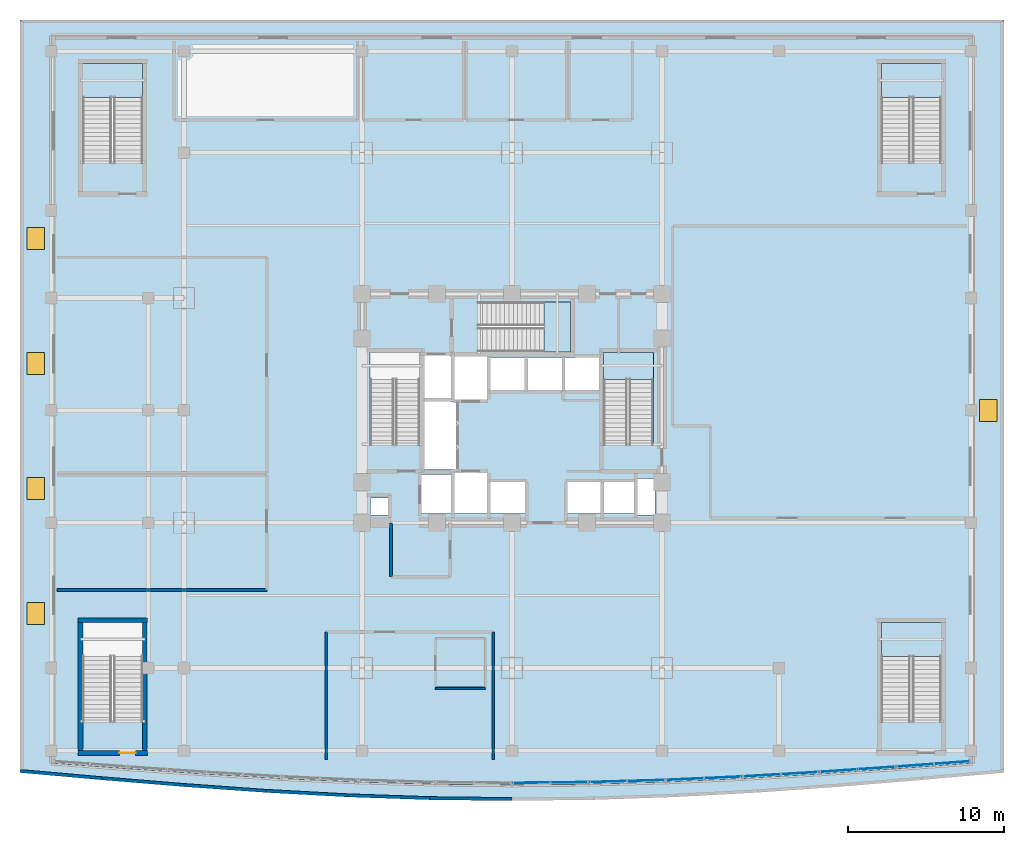
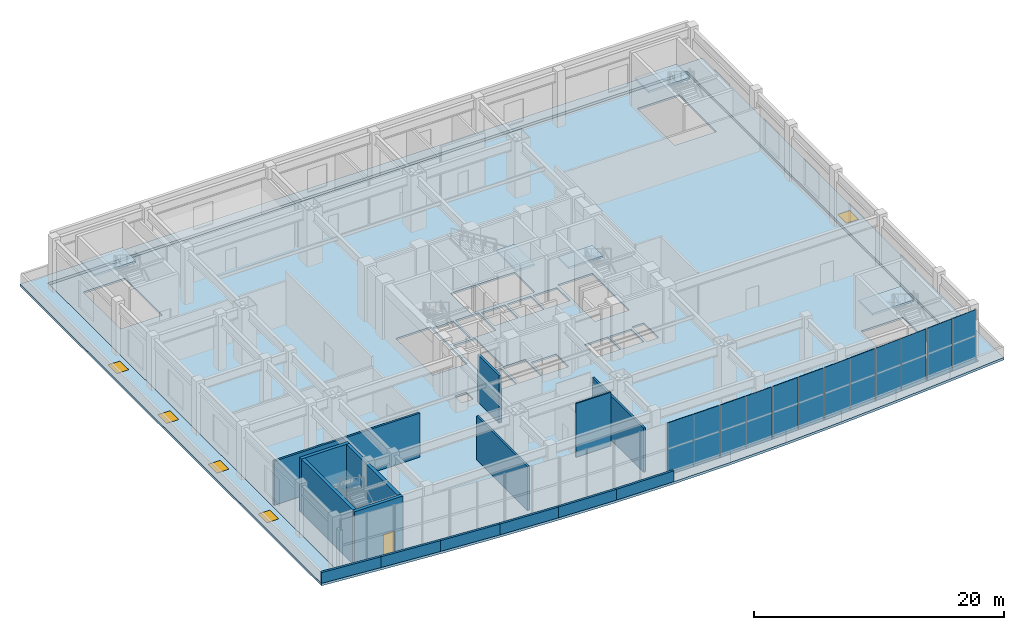
# One storey, part 11 of 24: 15 walls, 12 plates, 7 slabs, 6 doors, 6 openings, 11 elements without a shape of their own.
"""IFC4 building model written with IfcOpenShell, lengths in metres."""

from ifc_helpers import new_model, si_unit, direction, frame, frame_2d, origin, origin_2d, place, context, subcontext, project, spatial, polyline, rectangle, outline, extrude, material, layer, layer_set, type_object, element, fill, aggregate, save


model = new_model("IFC4")

# Units and contexts
model_context = context("Model", 3, precision=1e-05, world=origin(), true_north=direction((0.0, 1.0)))
body_context = subcontext(model_context, "Body", "Model", "MODEL_VIEW")
ifc_project = project(units=[si_unit("LENGTHUNIT", "METRE"), si_unit("AREAUNIT", "SQUARE_METRE"), si_unit("VOLUMEUNIT", "CUBIC_METRE"), si_unit("PLANEANGLEUNIT", "RADIAN"), si_unit("MASSUNIT", "GRAM", prefix="KILO")], contexts=[model_context])

# Site, building, storey
site_placement = place(None, origin())
site = spatial("IfcSite", under=ifc_project, at=site_placement, CompositionType="ELEMENT")
building_placement = place(site_placement, origin())
building = spatial("IfcBuilding", under=site, at=building_placement, Name="Vantalir Tower", CompositionType="ELEMENT")
storey_placement = place(building_placement, frame((0.0, 0.0, 16.0)))
storey = spatial("IfcBuildingStorey", under=building, at=storey_placement, Name="L03", CompositionType="ELEMENT", Elevation=16.0)

# Curtain wall, plates
ifc_material_1 = material(Name="Champagne-silver PVDF aluminium and double-silver Low-E glass", Category="aluminium")
ifc_layer_1 = layer(ifc_material_1, 0.239990234375)
ifc_layer_set_1 = layer_set([ifc_layer_1], Name="Champagne-silver PVDF aluminium and double-silver Low-E glass")
curtain_wall_type = type_object("IfcCurtainWallType", Name="CW-PODIUM-WF", PredefinedType="USERDEFINED", material=ifc_layer_set_1)
curtain_wall_1_placement = place(storey_placement, origin())
curtain_wall_1 = element("IfcCurtainWall", 1, at=curtain_wall_1_placement, inside=storey, type_object=curtain_wall_type, Name="L03 Waterfront Stick Curtain Wall 07", ObjectType="STICK CURTAIN WALL", PredefinedType="USERDEFINED")
ifc_material_2 = material(Name="Laminated waterfront podium glass IGU", Category="glass")
ifc_layer_2 = layer(ifc_material_2, 0.0400390625)
ifc_layer_set_2 = layer_set([ifc_layer_2], Name="Laminated waterfront podium glass IGU")
plate_type = type_object("IfcPlateType", Name="CWP-IGU-POD-40", PredefinedType="CURTAIN_PANEL", material=ifc_layer_set_2)
plate_1_placement = place(storey_placement, frame((32.75390625, 1.152099609375, -0.008056640625), z_axis=(0.0, 0.0, 1.0), x_axis=(0.9999524068, 0.009756235739, 0.0)))
plate_1 = element("IfcPlate", 2, at=plate_1_placement, type_object=plate_type, Name="CW-L03-WF-07 Glazed Panel 1", PredefinedType="CURTAIN_PANEL", context=body_context, shape_type="SweptSolid", body=[
    extrude(rectangle(XDim=2.388916015625, YDim=0.0400390625, at=origin_2d()), origin(), (0.0, 0.0, 1.0), 5.26611328125),
])
plate_2_placement = place(storey_placement, frame((35.1630859375, 1.176025390625, -0.008056640625), z_axis=(0.0, 0.0, 1.0), x_axis=(0.9999524068, 0.009756235739, 0.0)))
plate_2 = element("IfcPlate", 3, at=plate_2_placement, type_object=plate_type, Name="CW-L03-WF-07 Glazed Panel 2", PredefinedType="CURTAIN_PANEL", context=body_context, shape_type="SweptSolid", body=[
    extrude(rectangle(XDim=2.388916015625, YDim=0.0400390625, at=origin_2d()), origin(), (0.0, 0.0, 1.0), 5.26611328125),
])
aggregate(curtain_wall_1, [plate_1, plate_2])

curtain_wall_2_placement = place(storey_placement, origin())
curtain_wall_2 = element("IfcCurtainWall", 4, at=curtain_wall_2_placement, inside=storey, type_object=curtain_wall_type, Name="L03 Waterfront Stick Curtain Wall 08", ObjectType="STICK CURTAIN WALL", PredefinedType="USERDEFINED")
plate_3_placement = place(storey_placement, frame((37.6708984375, 1.22412109375, -0.008056640625), z_axis=(0.0, 0.0, 1.0), x_axis=(0.999594861669, 0.02846247573, 0.0)))
plate_3 = element("IfcPlate", 5, at=plate_3_placement, type_object=plate_type, Name="CW-L03-WF-08 Glazed Panel 1", PredefinedType="CURTAIN_PANEL", context=body_context, shape_type="SweptSolid", body=[
    extrude(rectangle(XDim=2.388916015625, YDim=0.0400390625, at=origin_2d()), origin(), (0.0, 0.0, 1.0), 5.26611328125),
])
plate_4_placement = place(storey_placement, frame((40.0791015625, 1.2919921875, -0.008056640625), z_axis=(0.0, 0.0, 1.0), x_axis=(0.999594861669, 0.02846247573, 0.0)))
plate_4 = element("IfcPlate", 6, at=plate_4_placement, type_object=plate_type, Name="CW-L03-WF-08 Glazed Panel 2", PredefinedType="CURTAIN_PANEL", context=body_context, shape_type="SweptSolid", body=[
    extrude(rectangle(XDim=2.388916015625, YDim=0.0400390625, at=origin_2d()), origin(), (0.0, 0.0, 1.0), 5.26611328125),
])
aggregate(curtain_wall_2, [plate_3, plate_4])

curtain_wall_3_placement = place(storey_placement, origin())
curtain_wall_3 = element("IfcCurtainWall", 7, at=curtain_wall_3_placement, inside=storey, type_object=curtain_wall_type, Name="L03 Waterfront Stick Curtain Wall 09", ObjectType="STICK CURTAIN WALL", PredefinedType="USERDEFINED")
plate_5_placement = place(storey_placement, frame((42.5869140625, 1.385009765625, -0.008056640625), z_axis=(0.0, 0.0, 1.0), x_axis=(0.998982411559, 0.045101456694, 0.0)))
plate_5 = element("IfcPlate", 8, at=plate_5_placement, type_object=plate_type, Name="CW-L03-WF-09 Glazed Panel 1", PredefinedType="CURTAIN_PANEL", context=body_context, shape_type="SweptSolid", body=[
    extrude(rectangle(XDim=2.39111328125, YDim=0.0400390625, at=origin_2d()), origin(), (0.0, 0.0, 1.0), 5.26611328125),
])
plate_6_placement = place(storey_placement, frame((44.99609375, 1.492919921875, -0.008056640625), z_axis=(0.0, 0.0, 1.0), x_axis=(0.998982411559, 0.045101456694, 0.0)))
plate_6 = element("IfcPlate", 9, at=plate_6_placement, type_object=plate_type, Name="CW-L03-WF-09 Glazed Panel 2", PredefinedType="CURTAIN_PANEL", context=body_context, shape_type="SweptSolid", body=[
    extrude(rectangle(XDim=2.39111328125, YDim=0.0400390625, at=origin_2d()), origin(), (0.0, 0.0, 1.0), 5.26611328125),
])
aggregate(curtain_wall_3, [plate_5, plate_6])

curtain_wall_4_placement = place(storey_placement, origin())
curtain_wall_4 = element("IfcCurtainWall", 10, at=curtain_wall_4_placement, inside=storey, type_object=curtain_wall_type, Name="L03 Waterfront Stick Curtain Wall 10", ObjectType="STICK CURTAIN WALL", PredefinedType="USERDEFINED")
plate_7_placement = place(storey_placement, frame((47.50390625, 1.6240234375, -0.008056640625), z_axis=(0.0, 0.0, 1.0), x_axis=(0.998265610185, 0.058870803651, 0.0)))
plate_7 = element("IfcPlate", 11, at=plate_7_placement, type_object=plate_type, Name="CW-L03-WF-10 Glazed Panel 1", PredefinedType="CURTAIN_PANEL", context=body_context, shape_type="SweptSolid", body=[
    extrude(rectangle(XDim=2.39306640625, YDim=0.0400390625, at=origin_2d()), origin(), (0.0, 0.0, 1.0), 5.26611328125),
])
plate_8_placement = place(storey_placement, frame((49.9130859375, 1.76611328125, -0.008056640625), z_axis=(0.0, 0.0, 1.0), x_axis=(0.998265610185, 0.058870803651, 0.0)))
plate_8 = element("IfcPlate", 12, at=plate_8_placement, type_object=plate_type, Name="CW-L03-WF-10 Glazed Panel 2", PredefinedType="CURTAIN_PANEL", context=body_context, shape_type="SweptSolid", body=[
    extrude(rectangle(XDim=2.39306640625, YDim=0.0400390625, at=origin_2d()), origin(), (0.0, 0.0, 1.0), 5.26611328125),
])
aggregate(curtain_wall_4, [plate_7, plate_8])

curtain_wall_5_placement = place(storey_placement, origin())
curtain_wall_5 = element("IfcCurtainWall", 13, at=curtain_wall_5_placement, inside=storey, type_object=curtain_wall_type, Name="L03 Waterfront Stick Curtain Wall 11", ObjectType="STICK CURTAIN WALL", PredefinedType="USERDEFINED")
plate_9_placement = place(storey_placement, frame((52.4208984375, 1.926025390625, -0.008056640625), z_axis=(0.0, 0.0, 1.0), x_axis=(0.997644939362, 0.068589904246, 0.0)))
plate_9 = element("IfcPlate", 14, at=plate_9_placement, type_object=plate_type, Name="CW-L03-WF-11 Glazed Panel 1", PredefinedType="CURTAIN_PANEL", context=body_context, shape_type="SweptSolid", body=[
    extrude(rectangle(XDim=2.39404296875, YDim=0.0400390625, at=origin_2d()), origin(), (0.0, 0.0, 1.0), 5.26611328125),
])
plate_10_placement = place(storey_placement, frame((54.8291015625, 2.092041015625, -0.008056640625), z_axis=(0.0, 0.0, 1.0), x_axis=(0.997644939362, 0.068589904246, 0.0)))
plate_10 = element("IfcPlate", 15, at=plate_10_placement, type_object=plate_type, Name="CW-L03-WF-11 Glazed Panel 2", PredefinedType="CURTAIN_PANEL", context=body_context, shape_type="SweptSolid", body=[
    extrude(rectangle(XDim=2.39404296875, YDim=0.0400390625, at=origin_2d()), origin(), (0.0, 0.0, 1.0), 5.26611328125),
])
aggregate(curtain_wall_5, [plate_9, plate_10])

curtain_wall_6_placement = place(storey_placement, origin())
curtain_wall_6 = element("IfcCurtainWall", 16, at=curtain_wall_6_placement, inside=storey, type_object=curtain_wall_type, Name="L03 Waterfront Stick Curtain Wall 12", ObjectType="STICK CURTAIN WALL", PredefinedType="USERDEFINED")
plate_11_placement = place(storey_placement, frame((57.3369140625, 2.27001953125, -0.008056640625), z_axis=(0.0, 0.0, 1.0), x_axis=(0.99730039812, 0.073429666411, 0.0)))
plate_11 = element("IfcPlate", 17, at=plate_11_placement, type_object=plate_type, Name="CW-L03-WF-12 Glazed Panel 1", PredefinedType="CURTAIN_PANEL", context=body_context, shape_type="SweptSolid", body=[
    extrude(rectangle(XDim=2.39501953125, YDim=0.0400390625, at=origin_2d()), origin(), (0.0, 0.0, 1.0), 5.26611328125),
])
plate_12_placement = place(storey_placement, frame((59.680908203125, 2.443115234375, -0.008056640625), z_axis=(0.0, 0.0, 1.0), x_axis=(0.99730039812, 0.073429666411, 0.0)))
plate_12 = element("IfcPlate", 18, at=plate_12_placement, type_object=plate_type, Name="CW-L03-WF-12 Glazed Panel 2", PredefinedType="CURTAIN_PANEL", context=body_context, shape_type="SweptSolid", body=[
    extrude(rectangle(XDim=2.264892578125, YDim=0.0400390625, at=origin_2d()), origin(), (0.0, 0.0, 1.0), 5.26611328125),
])
aggregate(curtain_wall_6, [plate_11, plate_12])

# Stair, slab
ifc_material_3 = material(Name="Concrete C40/50", Category="concrete")
stair_type_1 = type_object("IfcStairType", Name="STR-CORE-1450", PredefinedType="HALF_TURN_STAIR", material=ifc_material_3)
stair_1_placement = place(storey_placement, origin())
stair_1 = element("IfcStair", 19, at=stair_1_placement, inside=storey, type_object=stair_type_1, Name="L03 Core Exit Stair 2", PredefinedType="HALF_TURN_STAIR")
ifc_layer_3 = layer(ifc_material_3, 0.199951171875)
ifc_layer_set_3 = layer_set([ifc_layer_3], Name="Concrete C40/50")
slab_type_1 = type_object("IfcSlabType", Name="SL-LAND-200", PredefinedType="LANDING", material=ifc_layer_set_3)
slab_1_placement = place(storey_placement, frame((0.0, 0.0, 2.550048828125)))
slab_1 = element("IfcSlab", 20, at=slab_1_placement, type_object=slab_type_1, Name="ST2 landing 1", PredefinedType="LANDING", context=body_context, shape_type="SweptSolid", body=[
    extrude(outline(polyline([(40.550048828125, 26.989990234375), (40.550048828125, 28.699951171875), (37.35009765625, 28.699951171875), (37.35009765625, 26.989990234375), (40.550048828125, 26.989990234375)])), origin(), (0.0, 0.0, 1.0), 0.199951171875),
])
aggregate(stair_1, [slab_1])

stair_2_placement = place(storey_placement, origin())
stair_2 = element("IfcStair", 21, at=stair_2_placement, inside=storey, type_object=stair_type_1, Name="L03 Core Exit Stair 3", PredefinedType="HALF_TURN_STAIR")
slab_2_placement = place(storey_placement, frame((0.0, 0.0, 2.550048828125)))
slab_2 = element("IfcSlab", 22, at=slab_2_placement, type_object=slab_type_1, Name="ST3 landing 1", PredefinedType="LANDING", context=body_context, shape_type="SweptSolid", body=[
    extrude(outline(polyline([(33.5400390625, 28.75), (35.25, 28.75), (35.25, 31.949951171875), (33.5400390625, 31.949951171875), (33.5400390625, 28.75)])), origin(), (0.0, 0.0, 1.0), 0.199951171875),
])
aggregate(stair_2, [slab_2])

stair_type_2 = type_object("IfcStairType", Name="STR-POD-1550", PredefinedType="HALF_TURN_STAIR", material=ifc_material_3)
stair_3_placement = place(storey_placement, origin())
stair_3 = element("IfcStair", 23, at=stair_3_placement, inside=storey, type_object=stair_type_2, Name="L03 Podium Exit Stair 1", PredefinedType="HALF_TURN_STAIR")
slab_3_placement = place(storey_placement, frame((0.0, 0.0, 2.550048828125)))
slab_3 = element("IfcSlab", 24, at=slab_3_placement, type_object=slab_type_1, Name="PST1 landing 1", PredefinedType="LANDING", context=body_context, shape_type="SweptSolid", body=[
    extrude(outline(polyline([(7.85009765625, 45.050048828125), (7.85009765625, 47.219970703125), (4.0, 47.219970703125), (4.0, 45.050048828125), (7.85009765625, 45.050048828125)])), origin(), (0.0, 0.0, 1.0), 0.199951171875),
])
aggregate(stair_3, [slab_3])

stair_4_placement = place(storey_placement, origin())
stair_4 = element("IfcStair", 25, at=stair_4_placement, inside=storey, type_object=stair_type_2, Name="L03 Podium Exit Stair 2", PredefinedType="HALF_TURN_STAIR")
slab_4_placement = place(storey_placement, frame((0.0, 0.0, 2.550048828125)))
slab_4 = element("IfcSlab", 26, at=slab_4_placement, type_object=slab_type_1, Name="PST2 landing 1", PredefinedType="LANDING", context=body_context, shape_type="SweptSolid", body=[
    extrude(outline(polyline([(59.0, 45.050048828125), (59.0, 47.219970703125), (55.14990234375, 47.219970703125), (55.14990234375, 45.050048828125), (59.0, 45.050048828125)])), origin(), (0.0, 0.0, 1.0), 0.199951171875),
])
aggregate(stair_4, [slab_4])

stair_5_placement = place(storey_placement, origin())
stair_5 = element("IfcStair", 27, at=stair_5_placement, inside=storey, type_object=stair_type_2, Name="L03 Podium Exit Stair 4", PredefinedType="HALF_TURN_STAIR")
slab_5_placement = place(storey_placement, frame((0.0, 0.0, 2.550048828125)))
slab_5 = element("IfcSlab", 28, at=slab_5_placement, type_object=slab_type_1, Name="PST4 landing 1", PredefinedType="LANDING", context=body_context, shape_type="SweptSolid", body=[
    extrude(outline(polyline([(59.0, 9.25), (59.0, 11.419921875), (55.14990234375, 11.419921875), (55.14990234375, 9.25), (59.0, 9.25)])), origin(), (0.0, 0.0, 1.0), 0.199951171875),
])
aggregate(stair_5, [slab_5])

# Slab, openings, doors
ifc_material_4 = material(Name="Concrete C40/50 insulated podium roof", Category="concrete")
ifc_layer_4 = layer(ifc_material_4, 0.239990234375)
ifc_layer_set_4 = layer_set([ifc_layer_4], Name="Concrete C40/50 insulated podium roof")
slab_type_2 = type_object("IfcSlabType", Name="SL-POD-ROOF-240", PredefinedType="ROOF", material=ifc_layer_set_4)
slab_6_placement = place(storey_placement, origin())
slab_6 = element("IfcSlab", 29, at=slab_6_placement, inside=storey, type_object=slab_type_2, Name="L03 Podium Setback Maintenance Roof Cap 01", PredefinedType="ROOF", context=body_context, shape_type="SweptSolid", body=[
    extrude(outline(polyline([(0.0, 1.800048828125), (5.25, 1.333984375), (10.5, 0.89990234375), (15.75, 0.527099609375), (21.0, 0.240966796875), (26.25, 0.06103515625), (31.5, 0.0), (36.75, 0.06103515625), (42.0, 0.240966796875), (47.25, 0.527099609375), (52.5, 0.89990234375), (57.75, 1.333984375), (63.0, 1.800048828125), (63.0, 50.0), (0.0, 50.0), (0.0, 1.800048828125)]), holes=[polyline([(1.9951171875, 2.39501953125), (1.9951171875, 49.0048828125), (61.0048828125, 49.0048828125), (61.0048828125, 2.39501953125), (56.0830078125, 2.032958984375), (51.1669921875, 1.695068359375), (46.25, 1.405029296875), (41.3330078125, 1.18310546875), (36.4169921875, 1.04296875), (31.5, 0.9951171875), (26.5830078125, 1.04296875), (21.6669921875, 1.18310546875), (16.75, 1.405029296875), (11.8330078125, 1.695068359375), (6.9169921875, 2.032958984375), (1.9951171875, 2.39501953125)]), polyline([(0.4541015625, 12.696044921875), (1.5458984375, 12.696044921875), (1.5458984375, 11.303955078125), (0.4541015625, 11.303955078125), (0.4541015625, 12.696044921875)]), polyline([(0.4541015625, 20.696044921875), (1.5458984375, 20.696044921875), (1.5458984375, 19.303955078125), (0.4541015625, 19.303955078125), (0.4541015625, 20.696044921875)]), polyline([(0.4541015625, 28.696044921875), (1.5458984375, 28.696044921875), (1.5458984375, 27.303955078125), (0.4541015625, 27.303955078125), (0.4541015625, 28.696044921875)]), polyline([(0.4541015625, 36.696044921875), (1.5458984375, 36.696044921875), (1.5458984375, 35.303955078125), (0.4541015625, 35.303955078125), (0.4541015625, 36.696044921875)]), polyline([(61.4541015625, 25.696044921875), (62.5458984375, 25.696044921875), (62.5458984375, 24.303955078125), (61.4541015625, 24.303955078125), (61.4541015625, 25.696044921875)])]), origin(), (0.0, 0.0, 1.0), 0.239990234375),
])
opening_1_placement = place(slab_6_placement, frame((1.0, 12.0, -0.010009765625)))
opening_1 = element("IfcOpeningElement", 30, at=opening_1_placement, cuts=slab_6, Name="Opening RH-1", PredefinedType="OPENING", context=body_context, shape_type="SweptSolid", body=[
    extrude(rectangle(XDim=1.10009765625, YDim=1.39990234375, at=origin_2d()), origin(), (0.0, 0.0, 1.0), 0.260009765625),
])
opening_2_placement = place(slab_6_placement, frame((1.0, 20.0, -0.010009765625)))
opening_2 = element("IfcOpeningElement", 31, at=opening_2_placement, cuts=slab_6, Name="Opening RH-1", PredefinedType="OPENING", context=body_context, shape_type="SweptSolid", body=[
    extrude(rectangle(XDim=1.10009765625, YDim=1.39990234375, at=origin_2d()), origin(), (0.0, 0.0, 1.0), 0.260009765625),
])
opening_3_placement = place(slab_6_placement, frame((1.0, 28.0, -0.010009765625)))
opening_3 = element("IfcOpeningElement", 32, at=opening_3_placement, cuts=slab_6, Name="Opening RH-1", PredefinedType="OPENING", context=body_context, shape_type="SweptSolid", body=[
    extrude(rectangle(XDim=1.10009765625, YDim=1.39990234375, at=origin_2d()), origin(), (0.0, 0.0, 1.0), 0.260009765625),
])
opening_4_placement = place(slab_6_placement, frame((1.0, 36.0, -0.010009765625)))
opening_4 = element("IfcOpeningElement", 33, at=opening_4_placement, cuts=slab_6, Name="Opening RH-1", PredefinedType="OPENING", context=body_context, shape_type="SweptSolid", body=[
    extrude(rectangle(XDim=1.10009765625, YDim=1.39990234375, at=origin_2d()), origin(), (0.0, 0.0, 1.0), 0.260009765625),
])
opening_5_placement = place(slab_6_placement, frame((62.0, 25.0, -0.010009765625)))
opening_5 = element("IfcOpeningElement", 34, at=opening_5_placement, cuts=slab_6, Name="Opening RH-1", PredefinedType="OPENING", context=body_context, shape_type="SweptSolid", body=[
    extrude(rectangle(XDim=1.10009765625, YDim=1.39990234375, at=origin_2d()), origin(), (0.0, 0.0, 1.0), 0.260009765625),
])
ifc_material_5 = material(Name="Insulated aluminium thermally broken roof access hatch", Category="aluminium")
door_type_1 = type_object("IfcDoorType", Name="DR-ROOF-HATCH-1100", OperationType="SINGLE_SWING_LEFT", PredefinedType="TRAPDOOR", material=ifc_material_5)
door_1_placement = place(slab_6_placement, frame((1.0, 12.0, 0.18994140625)))
door_1 = element("IfcDoor", 35, at=door_1_placement, inside=storey, type_object=door_type_1, Name="L03 Maintenance Roof Access Hatch 01", OperationType="SINGLE_SWING_LEFT", OverallHeight=1.39990234375, OverallWidth=1.10009765625, PredefinedType="TRAPDOOR", context=body_context, shape_type="SweptSolid", body=[
    extrude(rectangle(XDim=1.10009765625, YDim=1.39990234375, at=origin_2d()), origin(), (0.0, 0.0, 1.0), 0.050048828125),
])
fill(opening_1, door_1)
door_2_placement = place(slab_6_placement, frame((1.0, 20.0, 0.18994140625)))
door_2 = element("IfcDoor", 36, at=door_2_placement, inside=storey, type_object=door_type_1, Name="L03 Maintenance Roof Access Hatch 02", OperationType="SINGLE_SWING_LEFT", OverallHeight=1.39990234375, OverallWidth=1.10009765625, PredefinedType="TRAPDOOR", context=body_context, shape_type="SweptSolid", body=[
    extrude(rectangle(XDim=1.10009765625, YDim=1.39990234375, at=origin_2d()), origin(), (0.0, 0.0, 1.0), 0.050048828125),
])
fill(opening_2, door_2)
door_3_placement = place(slab_6_placement, frame((1.0, 28.0, 0.18994140625)))
door_3 = element("IfcDoor", 37, at=door_3_placement, inside=storey, type_object=door_type_1, Name="L03 Maintenance Roof Access Hatch 03", OperationType="SINGLE_SWING_LEFT", OverallHeight=1.39990234375, OverallWidth=1.10009765625, PredefinedType="TRAPDOOR", context=body_context, shape_type="SweptSolid", body=[
    extrude(rectangle(XDim=1.10009765625, YDim=1.39990234375, at=origin_2d()), origin(), (0.0, 0.0, 1.0), 0.050048828125),
])
fill(opening_3, door_3)
door_4_placement = place(slab_6_placement, frame((1.0, 36.0, 0.18994140625)))
door_4 = element("IfcDoor", 38, at=door_4_placement, inside=storey, type_object=door_type_1, Name="L03 Maintenance Roof Access Hatch 04", OperationType="SINGLE_SWING_LEFT", OverallHeight=1.39990234375, OverallWidth=1.10009765625, PredefinedType="TRAPDOOR", context=body_context, shape_type="SweptSolid", body=[
    extrude(rectangle(XDim=1.10009765625, YDim=1.39990234375, at=origin_2d()), origin(), (0.0, 0.0, 1.0), 0.050048828125),
])
fill(opening_4, door_4)
door_5_placement = place(slab_6_placement, frame((62.0, 25.0, 0.18994140625)))
door_5 = element("IfcDoor", 39, at=door_5_placement, inside=storey, type_object=door_type_1, Name="L03 Maintenance Roof Access Hatch 05", OperationType="SINGLE_SWING_LEFT", OverallHeight=1.39990234375, OverallWidth=1.10009765625, PredefinedType="TRAPDOOR", context=body_context, shape_type="SweptSolid", body=[
    extrude(rectangle(XDim=1.10009765625, YDim=1.39990234375, at=origin_2d()), origin(), (0.0, 0.0, 1.0), 0.050048828125),
])
fill(opening_5, door_5)

# Slab
ifc_layer_5 = layer(ifc_material_3, 0.179931640625)
ifc_layer_set_5 = layer_set([ifc_layer_5], Name="Concrete C40/50")
slab_type_3 = type_object("IfcSlabType", Name="SL-TWR-180", PredefinedType="FLOOR", material=ifc_layer_set_5)
slab_7_placement = place(storey_placement, frame((0.0, 0.0, -0.179931640625)))
element("IfcSlab", 40, at=slab_7_placement, inside=storey, type_object=slab_type_3, Name="L03 Primary Structural Slab", PredefinedType="FLOOR", context=body_context, shape_type="SweptSolid", body=[
    extrude(outline(polyline([(56.0830078125, 2.0380859375), (61.0, 2.39990234375), (61.0, 49.0), (2.0, 49.0), (2.0, 2.39990234375), (6.9169921875, 2.0380859375), (11.8330078125, 1.699951171875), (16.75, 1.409912109375), (21.6669921875, 1.18798828125), (26.5830078125, 1.048095703125), (31.5, 1.0), (36.4169921875, 1.048095703125), (41.3330078125, 1.18798828125), (46.25, 1.409912109375), (51.1669921875, 1.699951171875), (56.0830078125, 2.0380859375)]), holes=[polyline([(22.39990234375, 22.7900390625), (22.39990234375, 28.699951171875), (25.60009765625, 28.699951171875), (25.60009765625, 22.7900390625), (22.39990234375, 22.7900390625)]), polyline([(37.35009765625, 28.699951171875), (40.550048828125, 28.699951171875), (40.550048828125, 22.7900390625), (37.35009765625, 22.7900390625), (37.35009765625, 28.699951171875)]), polyline([(35.25, 28.75), (29.340087890625, 28.75), (29.340087890625, 31.949951171875), (35.25, 31.949951171875), (35.25, 28.75)]), polyline([(7.85009765625, 40.85009765625), (4.0, 40.85009765625), (4.0, 46.800048828125), (7.85009765625, 46.800048828125), (7.85009765625, 40.85009765625)]), polyline([(55.14990234375, 40.85009765625), (55.14990234375, 46.800048828125), (59.0, 46.800048828125), (59.0, 40.85009765625), (55.14990234375, 40.85009765625)]), polyline([(4.0, 11.0), (7.85009765625, 11.0), (7.85009765625, 5.050048828125), (4.0, 5.050048828125), (4.0, 11.0)]), polyline([(59.0, 11.0), (59.0, 5.050048828125), (55.14990234375, 5.050048828125), (55.14990234375, 11.0), (59.0, 11.0)]), polyline([(27.60009765625, 18.39990234375), (25.699951171875, 18.39990234375), (25.699951171875, 20.89990234375), (27.60009765625, 20.89990234375), (27.60009765625, 18.39990234375)]), polyline([(25.699951171875, 25.800048828125), (25.699951171875, 28.5), (27.60009765625, 28.5), (27.60009765625, 25.800048828125), (25.699951171875, 25.800048828125)]), polyline([(27.800048828125, 21.0), (29.89990234375, 21.0), (29.89990234375, 18.39990234375), (27.800048828125, 18.39990234375), (27.800048828125, 21.0)]), polyline([(29.89990234375, 28.5), (29.89990234375, 25.699951171875), (27.800048828125, 25.699951171875), (27.800048828125, 28.5), (29.89990234375, 28.5)]), polyline([(32.39990234375, 18.39990234375), (30.10009765625, 18.39990234375), (30.10009765625, 20.39990234375), (32.39990234375, 20.39990234375), (32.39990234375, 18.39990234375)]), polyline([(37.35009765625, 18.39990234375), (37.35009765625, 20.39990234375), (39.35009765625, 20.39990234375), (39.35009765625, 18.39990234375), (37.35009765625, 18.39990234375)]), polyline([(35.0, 20.39990234375), (37.199951171875, 20.39990234375), (37.199951171875, 18.39990234375), (35.0, 18.39990234375), (35.0, 20.39990234375)]), polyline([(32.300048828125, 28.39990234375), (32.300048828125, 26.300048828125), (30.10009765625, 26.300048828125), (30.10009765625, 28.39990234375), (32.300048828125, 28.39990234375)]), polyline([(34.699951171875, 26.300048828125), (32.5, 26.300048828125), (32.5, 28.39990234375), (34.699951171875, 28.39990234375), (34.699951171875, 26.300048828125)]), polyline([(34.89990234375, 26.300048828125), (34.89990234375, 28.39990234375), (37.10009765625, 28.39990234375), (37.10009765625, 26.300048828125), (34.89990234375, 26.300048828125)]), polyline([(25.889892578125, 25.56005859375), (27.89990234375, 25.56005859375), (27.89990234375, 21.199951171875), (25.889892578125, 21.199951171875), (25.889892578125, 25.56005859375)]), polyline([(23.550048828125, 19.39990234375), (23.550048828125, 18.300048828125), (22.449951171875, 18.300048828125), (22.449951171875, 19.39990234375), (23.550048828125, 19.39990234375)]), polyline([(40.64990234375, 18.300048828125), (39.550048828125, 18.300048828125), (39.550048828125, 20.64990234375), (40.64990234375, 20.64990234375), (40.64990234375, 18.300048828125)])]), origin(), (0.0, 0.0, 1.0), 0.179931640625),
])

# Walls
ifc_material_6 = material(Name="Moisture-resistant en-suite partition", Category="gypsum")
ifc_layer_6 = layer(ifc_material_6, 0.125)
ifc_layer_set_6 = layer_set([ifc_layer_6], Name="Moisture-resistant en-suite partition")
wall_type_1 = type_object("IfcWallType", Name="WL-BATH-125", PredefinedType="PARTITIONING", material=ifc_layer_set_6)
wall_1_placement = place(storey_placement, frame((26.60009765625, 7.199951171875, 0.0), z_axis=(0.0, 0.0, 1.0), x_axis=(1.0, 0.0, 0.0)))
element("IfcWall", 41, at=wall_1_placement, inside=storey, type_object=wall_type_1, Name="L03 VIP En-suite South Wall", PredefinedType="PARTITIONING", context=body_context, shape_type="SweptSolid", body=[
    extrude(rectangle(XDim=3.199951171875, YDim=0.125, at=frame_2d((1.60009765625, 0.0))), origin(), (0.0, 0.0, 1.0), 5.22998046875),
])
ifc_material_7 = material(Name="Concrete blockwork with fireboard lining", Category="masonry")
ifc_layer_7 = layer(ifc_material_7, 0.219970703125)
ifc_layer_set_7 = layer_set([ifc_layer_7], Name="Concrete blockwork with fireboard lining")
wall_type_2 = type_object("IfcWallType", Name="WL-FFL-220", PredefinedType="PARTITIONING", material=ifc_layer_set_7)
wall_2_placement = place(storey_placement, frame((23.75, 14.35009765625, 0.0), z_axis=(0.0, 0.0, 1.0), x_axis=(0.0, 1.0, 0.0)))
element("IfcWall", 42, at=wall_2_placement, inside=storey, type_object=wall_type_2, Name="L03 Firefighting Lobby West Outer W", PredefinedType="PARTITIONING", context=body_context, shape_type="SweptSolid", body=[
    extrude(rectangle(XDim=3.449951171875, YDim=0.219970703125, at=frame_2d((1.72509765625, 0.0))), origin(), (0.0, 0.0, 1.0), 4.60888671875),
])
ifc_material_8 = material(Name="Twin-stud acoustic fire-rated gypsum partition", Category="gypsum")
ifc_layer_8 = layer(ifc_material_8, 0.179931640625)
ifc_layer_set_8 = layer_set([ifc_layer_8], Name="Twin-stud acoustic fire-rated gypsum partition")
wall_type_3 = type_object("IfcWallType", Name="WL-GUEST-180", PredefinedType="PARTITIONING", material=ifc_layer_set_8)
wall_3_placement = place(storey_placement, frame((2.35009765625, 13.5, 0.0), z_axis=(0.0, 0.0, 1.0), x_axis=(1.0, 0.0, 0.0)))
element("IfcWall", 43, at=wall_3_placement, inside=storey, type_object=wall_type_3, Name="L03 Banquet Chair and Table Store South Wall", PredefinedType="PARTITIONING", context=body_context, shape_type="SweptSolid", body=[
    extrude(rectangle(XDim=13.449951171875, YDim=0.179931640625, at=frame_2d((6.72509765625, 0.0))), origin(), (0.0, 0.0, 1.0), 4.298095703125),
])
for number, where, z_axis, x_axis, name in (
    (44, (19.60009765625, 2.64990234375, 0.0), (0.0, 0.0, 1.0), (0.0, 1.0, 0.0), "L03 VIP Bridal Hotel Suite West Wall"),
    (45, (30.300048828125, 2.64990234375, 0.0), (0.0, 0.0, 1.0), (0.0, 1.0, 0.0), "L03 VIP Bridal Hotel Suite East Wall"),
):
    element("IfcWall", number, at=place(storey_placement, frame(where, z_axis=z_axis, x_axis=x_axis)), inside=storey, type_object=wall_type_3, Name=name, PredefinedType="PARTITIONING", context=body_context, shape_type="SweptSolid", body=[
        extrude(rectangle(XDim=8.150146484375, YDim=0.179931640625, at=frame_2d((4.0751953125, 0.0))), origin(), (0.0, 0.0, 1.0), 4.298095703125),
    ])
ifc_material_9 = material(Name="Concrete C40/50 parapet upstand", Category="concrete")
ifc_layer_9 = layer(ifc_material_9, 0.199951171875)
ifc_layer_set_9 = layer_set([ifc_layer_9], Name="Concrete C40/50 parapet upstand")
wall_type_4 = type_object("IfcWallType", Name="WL-PARA-200", PredefinedType="PARAPET", material=ifc_layer_set_9)
wall_4_placement = place(storey_placement, frame((0.0, 1.89990234375, 0.239990234375), z_axis=(0.0, 0.0, 1.0), x_axis=(0.996086789786, -0.088380468513, 0.0)))
element("IfcWall", 46, at=wall_4_placement, inside=storey, type_object=wall_type_4, Name="L03 Setback Maintenance Parapet South 01", PredefinedType="PARAPET", context=body_context, shape_type="SweptSolid", body=[
    extrude(rectangle(XDim=5.2705078125, YDim=0.199951171875, at=frame_2d((2.63525390625, 0.0))), origin(), (0.0, 0.0, 1.0), 1.050048828125),
])
wall_5_placement = place(storey_placement, frame((5.25, 1.43408203125, 0.239990234375), z_axis=(0.0, 0.0, 1.0), x_axis=(0.99659924601, -0.082401109533, 0.0)))
element("IfcWall", 47, at=wall_5_placement, inside=storey, type_object=wall_type_4, Name="L03 Setback Maintenance Parapet South 02", PredefinedType="PARAPET", context=body_context, shape_type="SweptSolid", body=[
    extrude(rectangle(XDim=5.267822265625, YDim=0.199951171875, at=frame_2d((2.6337890625, 0.0))), origin(), (0.0, 0.0, 1.0), 1.050048828125),
])
wall_6_placement = place(storey_placement, frame((10.5, 1.0, 0.239990234375), z_axis=(0.0, 0.0, 1.0), x_axis=(0.997485003249, -0.070877840633, 0.0)))
element("IfcWall", 48, at=wall_6_placement, inside=storey, type_object=wall_type_4, Name="L03 Setback Maintenance Parapet South 03", PredefinedType="PARAPET", context=body_context, shape_type="SweptSolid", body=[
    extrude(rectangle(XDim=5.26318359375, YDim=0.199951171875, at=frame_2d((2.631591796875, 0.0))), origin(), (0.0, 0.0, 1.0), 1.050048828125),
])
wall_7_placement = place(storey_placement, frame((15.75, 0.626953125, 0.239990234375), z_axis=(0.0, 0.0, 1.0), x_axis=(0.998520616648, -0.054374425321, 0.0)))
element("IfcWall", 49, at=wall_7_placement, inside=storey, type_object=wall_type_4, Name="L03 Setback Maintenance Parapet South 04", PredefinedType="PARAPET", context=body_context, shape_type="SweptSolid", body=[
    extrude(rectangle(XDim=5.2578125, YDim=0.199951171875, at=frame_2d((2.62890625, 0.0))), origin(), (0.0, 0.0, 1.0), 1.050048828125),
])
wall_8_placement = place(storey_placement, frame((21.0, 0.341064453125, 0.239990234375), z_axis=(0.0, 0.0, 1.0), x_axis=(0.999411616079, -0.034299003565, 0.0)))
element("IfcWall", 50, at=wall_8_placement, inside=storey, type_object=wall_type_4, Name="L03 Setback Maintenance Parapet South 05", PredefinedType="PARAPET", context=body_context, shape_type="SweptSolid", body=[
    extrude(rectangle(XDim=5.253173828125, YDim=0.199951171875, at=frame_2d((2.62646484375, 0.0))), origin(), (0.0, 0.0, 1.0), 1.050048828125),
])
wall_9_placement = place(storey_placement, frame((26.25, 0.160888671875, 0.239990234375), z_axis=(0.0, 0.0, 1.0), x_axis=(0.999932967329, -0.011578464884, 0.0)))
element("IfcWall", 51, at=wall_9_placement, inside=storey, type_object=wall_type_4, Name="L03 Setback Maintenance Parapet South 06", PredefinedType="PARAPET", context=body_context, shape_type="SweptSolid", body=[
    extrude(rectangle(XDim=5.250244140625, YDim=0.199951171875, at=frame_2d((2.625, 0.0))), origin(), (0.0, 0.0, 1.0), 1.050048828125),
])

# Wall, opening, door
ifc_material_10 = material(Name="Concrete C50/60", Category="concrete")
ifc_layer_10 = layer(ifc_material_10, 0.300048828125)
ifc_layer_set_10 = layer_set([ifc_layer_10], Name="Concrete C50/60")
wall_type_5 = type_object("IfcWallType", Name="WL-STAIR-300", PredefinedType="SHEAR", material=ifc_layer_set_10)
wall_10_placement = place(storey_placement, frame((3.699951171875, 3.06005859375, 0.0), z_axis=(0.0, 0.0, 1.0), x_axis=(1.0, 0.0, 0.0)))
wall_10 = element("IfcWall", 52, at=wall_10_placement, inside=storey, type_object=wall_type_5, Name="L03 PST3 South Wall", PredefinedType="SHEAR", context=body_context, shape_type="SweptSolid", body=[
    extrude(rectangle(XDim=4.449951171875, YDim=0.300048828125, at=frame_2d((2.22509765625, 0.0))), origin(), (0.0, 0.0, 1.0), 5.25),
])
opening_6_placement = place(wall_10_placement, frame((2.64990234375, 0.0, 0.0)))
opening_6 = element("IfcOpeningElement", 53, at=opening_6_placement, cuts=wall_10, Name="Opening D-ST", PredefinedType="OPENING", context=body_context, shape_type="SweptSolid", body=[
    extrude(rectangle(XDim=1.050048828125, YDim=2.10009765625, at=frame_2d((0.52490234375, 1.050048828125))), frame((0.0, 0.159912109375, 0.0), z_axis=(0.0, -1.0, 0.0), x_axis=(1.0, 0.0, 0.0)), (0.0, 0.0, 1.0), 0.320068359375),
])
ifc_material_11 = material(Name="Fire-rated steel door leaf", Category="steel")
door_type_2 = type_object("IfcDoorType", Name="DR-FIRE-STAIR-1050", OperationType="NOTDEFINED", PredefinedType="DOOR", material=ifc_material_11)
door_6_placement = place(opening_6_placement, origin())
door_6 = element("IfcDoor", 54, at=door_6_placement, inside=storey, type_object=door_type_2, Name="L03 Podium Stair PST3 Fire Door", OperationType="SINGLE_SWING_LEFT", OverallHeight=2.10009765625, OverallWidth=1.050048828125, PredefinedType="DOOR", context=body_context, shape_type="SweptSolid", body=[
    extrude(rectangle(XDim=1.050048828125, YDim=2.10009765625, at=frame_2d((0.52490234375, 1.050048828125))), frame((0.0, 0.02490234375, 0.0), z_axis=(0.0, -1.0, 0.0), x_axis=(1.0, 0.0, 0.0)), (0.0, 0.0, 1.0), 0.050048828125),
])
fill(opening_6, door_6)

# Walls
wall_11_placement = place(storey_placement, frame((3.699951171875, 11.56005859375, 0.0), z_axis=(0.0, 0.0, 1.0), x_axis=(1.0, 0.0, 0.0)))
element("IfcWall", 55, at=wall_11_placement, inside=storey, type_object=wall_type_5, Name="L03 PST3 North Wall", PredefinedType="SHEAR", context=body_context, shape_type="SweptSolid", body=[
    extrude(rectangle(XDim=4.449951171875, YDim=0.300048828125, at=frame_2d((2.22509765625, 0.0))), origin(), (0.0, 0.0, 1.0), 5.25),
])
for number, where, z_axis, x_axis, name in (
    (56, (3.860107421875, 3.06005859375, 0.0), (0.0, 0.0, 1.0), (0.0, 1.0, 0.0), "L03 PST3 West Wall"),
    (57, (7.989990234375, 3.06005859375, 0.0), (0.0, 0.0, 1.0), (0.0, 1.0, 0.0), "L03 PST3 East Wall"),
):
    element("IfcWall", number, at=place(storey_placement, frame(where, z_axis=z_axis, x_axis=x_axis)), inside=storey, type_object=wall_type_5, Name=name, PredefinedType="SHEAR", context=body_context, shape_type="SweptSolid", body=[
        extrude(rectangle(XDim=8.5, YDim=0.300048828125, at=frame_2d((4.25, 0.0))), origin(), (0.0, 0.0, 1.0), 5.25),
    ])

save(model, "model.ifc")
